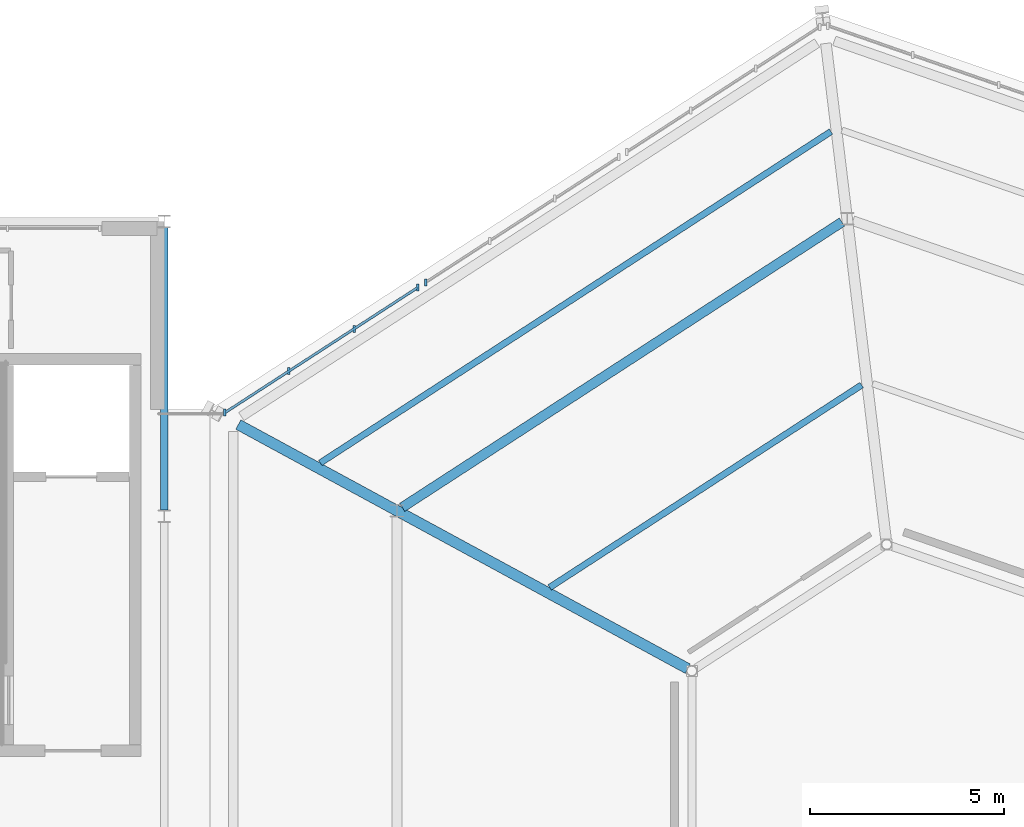
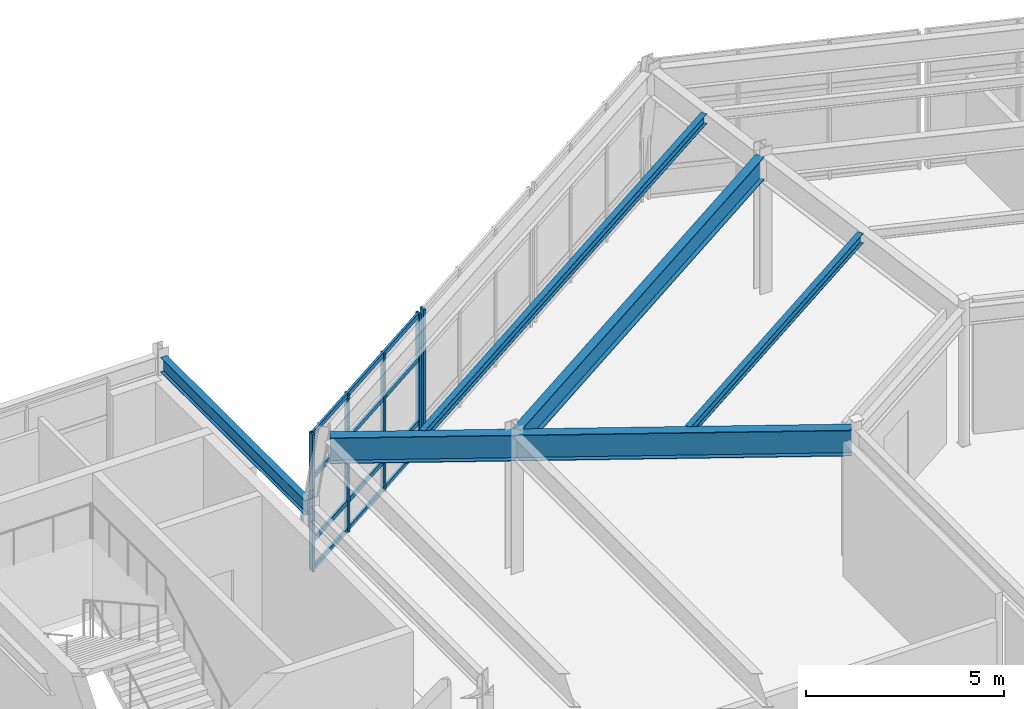
# One storey, part 29 of 69: 9 members, 5 beams, 2 elements without a shape of their own.
"""IFC4 building model written with IfcOpenShell, lengths in metres."""

from ifc_helpers import new_model, si_unit, direction, frame, origin, origin_2d, place, context, subcontext, project, spatial, rectangle, i_section, extrude, material, material_profile, profile_set, type_object, element, aggregate, save


model = new_model("IFC4")

# Units and contexts
model_context = context("Model", 3, precision=1e-05, world=origin(), true_north=direction((0.0, 1.0)))
body_context = subcontext(model_context, "Body", "Model", "MODEL_VIEW")
ifc_project = project(units=[si_unit("LENGTHUNIT", "METRE"), si_unit("AREAUNIT", "SQUARE_METRE"), si_unit("VOLUMEUNIT", "CUBIC_METRE"), si_unit("PLANEANGLEUNIT", "RADIAN"), si_unit("MASSUNIT", "GRAM", prefix="KILO")], contexts=[model_context])

# Site, building, storey
site_placement = place(None, origin())
site = spatial("IfcSite", under=ifc_project, at=site_placement, CompositionType="ELEMENT")
building_placement = place(site_placement, origin())
building = spatial("IfcBuilding", under=site, at=building_placement, Name="Sarnbrook Museum", CompositionType="ELEMENT")
storey_placement = place(building_placement, frame((0.0, 0.0, 14.60009765625)))
storey = spatial("IfcBuildingStorey", under=building, at=storey_placement, Name="L03", CompositionType="ELEMENT", Elevation=14.60009765625)

# Beams
ifc_material_1 = material(Name="Structural Steel Grade 300PLUS (AS/NZS 3679.1, fy = 280 MPa for 17 < t <= 40 mm, 300 MPa for t <= 17 mm)", Category="steel")
ifc_material_profile_1 = material_profile(ifc_material_1, i_section(OverallWidth=0.18994140625, OverallDepth=0.45703125, WebThickness=0.009033203125, FlangeThickness=0.014404296875, FilletRadius=0.011474609375, at=origin_2d()), Name="460UB74.6")
ifc_profile_set_1 = profile_set([ifc_material_profile_1], Name="Structural Steel Grade 300PLUS (AS/NZS 3679.1, fy = 280 MPa for 17 < t <= 40 mm, 300 MPa for t <= 17 mm)")
beam_type_1 = type_object("IfcBeamType", Name="BM-UB460", PredefinedType="BEAM", material=ifc_profile_set_1)
beam_1_placement = place(storey_placement, frame((119.199951171875, 100.95751953125, 4.021484375), z_axis=(0.0, 1.0, 0.0), x_axis=(-1.0, 0.0, 0.0)))
element("IfcBeam", 1, at=beam_1_placement, inside=storey, type_object=beam_type_1, Name="Girder 13:M-N L03", PredefinedType="BEAM", context=body_context, shape_type="SweptSolid", body=[
    extrude(i_section(OverallWidth=0.18994140625, OverallDepth=0.45703125, WebThickness=0.009033203125, FlangeThickness=0.014404296875, FilletRadius=0.011474609375, at=origin_2d()), origin(), (0.0, 0.0, 1.0), 7.284912109375),
])
ifc_material_2 = material(Name="Structural Steel Grade 350L0 (AS/NZS 3678, fy = 340 MPa for 20 < t <= 40 mm)", Category="steel")
ifc_material_profile_2 = material_profile(ifc_material_2, i_section(OverallWidth=0.25, OverallDepth=0.699951171875, WebThickness=0.010009765625, FlangeThickness=0.01611328125, at=origin_2d()), Name="700WB130")
ifc_profile_set_2 = profile_set([ifc_material_profile_2], Name="Structural Steel Grade 350L0 (AS/NZS 3678, fy = 340 MPa for 20 < t <= 40 mm)")
beam_type_2 = type_object("IfcBeamType", Name="BM-WB700", PredefinedType="BEAM", material=ifc_profile_set_2)
beam_2_placement = place(storey_placement, frame((136.669921875, 108.38232421875, 3.889892578125), z_axis=(-0.838898634594, -0.544287682091, 0.0), x_axis=(0.544287682091, -0.838898634594, 0.0)))
element("IfcBeam", 2, at=beam_2_placement, inside=storey, type_object=beam_type_2, Name="Crystal Hall R1 Ring Girder 6 L03", PredefinedType="BEAM", context=body_context, shape_type="SweptSolid", body=[
    extrude(i_section(OverallWidth=0.25, OverallDepth=0.699951171875, WebThickness=0.010009765625, FlangeThickness=0.01611328125, at=origin_2d()), origin(), (0.0, 0.0, 1.0), 13.5126953125),
])
ifc_material_profile_3 = material_profile(ifc_material_2, i_section(OverallWidth=0.27490234375, OverallDepth=0.800048828125, WebThickness=0.010009765625, FlangeThickness=0.01611328125, at=origin_2d()), Name="800WB146")
ifc_profile_set_3 = profile_set([ifc_material_profile_3], Name="Structural Steel Grade 350L0 (AS/NZS 3678, fy = 340 MPa for 20 < t <= 40 mm)")
beam_type_3 = type_object("IfcBeamType", Name="CR-CANT", PredefinedType="BEAM", material=ifc_profile_set_3)
beam_3_placement = place(storey_placement, frame((132.694580078125, 96.869384765625, 3.83984375), z_axis=(-0.878719409363, 0.477338663433, 0.0), x_axis=(-0.477338663433, -0.878719409363, 0.0)))
element("IfcBeam", 3, at=beam_3_placement, inside=storey, type_object=beam_type_3, Name="Crystal Hall Radial Cantilever Girder 7 L03", PredefinedType="BEAM", context=body_context, shape_type="SweptSolid", body=[
    extrude(i_section(OverallWidth=0.27490234375, OverallDepth=0.800048828125, WebThickness=0.010009765625, FlangeThickness=0.01611328125, at=origin_2d()), origin(), (0.0, 0.0, 1.0), 13.1845703125),
])

# Curtain wall, member
ifc_material_3 = material(Name="Thermally Broken Anodised Aluminium 6063-T6", Category="aluminium")
curtain_wall_type = type_object("IfcCurtainWallType", Name="CurtainWall_CrystalFacet", PredefinedType="NOTDEFINED", material=ifc_material_3)
curtain_wall_1_placement = place(storey_placement, origin())
curtain_wall_1 = element("IfcCurtainWall", 4, at=curtain_wall_1_placement, inside=storey, type_object=curtain_wall_type, Name="Crystal Hall Facet Curtain Wall L03-F6.2", PredefinedType="NOTDEFINED")
ifc_material_profile_4 = material_profile(ifc_material_3, rectangle(XDim=0.06494140625, YDim=0.179931640625, at=origin_2d()), Name="ALU MULLION 65x180")
ifc_profile_set_4 = profile_set([ifc_material_profile_4], Name="Thermally Broken Anodised Aluminium 6063-T6")
member_type_1 = type_object("IfcMemberType", Name="CW_Mullion_180x75", PredefinedType="MULLION", material=ifc_profile_set_4)
member_1_placement = place(storey_placement, frame((125.942138671875, 106.8291015625, 0.0), z_axis=(0.0, 0.0, 1.0), x_axis=(1.0, 0.0, 0.0)))
member_1 = element("IfcMember", 5, at=member_1_placement, type_object=member_type_1, Name="Crystal Hall Facet Curtain Wall L03-F6.2 Mullion 4", PredefinedType="MULLION", context=body_context, shape_type="SweptSolid", body=[
    extrude(rectangle(XDim=0.06494140625, YDim=0.179931640625, at=origin_2d()), origin(), (0.0, 0.0, 1.0), 4.239990234375),
])
aggregate(curtain_wall_1, [member_1])

# Curtain wall, members
curtain_wall_2_placement = place(storey_placement, origin())
curtain_wall_2 = element("IfcCurtainWall", 6, at=curtain_wall_2_placement, inside=storey, type_object=curtain_wall_type, Name="Crystal Hall Facet Curtain Wall L03-F6.3", PredefinedType="NOTDEFINED")
member_2_placement = place(storey_placement, frame((125.74072265625, 106.698486328125, 0.0), z_axis=(0.0, 0.0, 1.0), x_axis=(1.0, 0.0, 0.0)))
member_2 = element("IfcMember", 7, at=member_2_placement, type_object=member_type_1, Name="Crystal Hall Facet Curtain Wall L03-F6.3 Mullion 1", PredefinedType="MULLION", context=body_context, shape_type="SweptSolid", body=[
    extrude(rectangle(XDim=0.06494140625, YDim=0.179931640625, at=origin_2d()), origin(), (0.0, 0.0, 1.0), 4.239990234375),
])
member_3_placement = place(storey_placement, frame((124.09326171875, 105.629638671875, 0.0), z_axis=(0.0, 0.0, 1.0), x_axis=(1.0, 0.0, 0.0)))
member_3 = element("IfcMember", 8, at=member_3_placement, type_object=member_type_1, Name="Crystal Hall Facet Curtain Wall L03-F6.3 Mullion 2", PredefinedType="MULLION", context=body_context, shape_type="SweptSolid", body=[
    extrude(rectangle(XDim=0.06494140625, YDim=0.179931640625, at=origin_2d()), origin(), (0.0, 0.0, 1.0), 4.239990234375),
])
member_4_placement = place(storey_placement, frame((122.412109375, 104.538818359375, 0.0), z_axis=(0.0, 0.0, 1.0), x_axis=(1.0, 0.0, 0.0)))
member_4 = element("IfcMember", 9, at=member_4_placement, type_object=member_type_1, Name="Crystal Hall Facet Curtain Wall L03-F6.3 Mullion 3", PredefinedType="MULLION", context=body_context, shape_type="SweptSolid", body=[
    extrude(rectangle(XDim=0.06494140625, YDim=0.179931640625, at=origin_2d()), origin(), (0.0, 0.0, 1.0), 4.239990234375),
])
member_5_placement = place(storey_placement, frame((120.7646484375, 103.469970703125, 0.0), z_axis=(0.0, 0.0, 1.0), x_axis=(1.0, 0.0, 0.0)))
member_5 = element("IfcMember", 10, at=member_5_placement, type_object=member_type_1, Name="Crystal Hall Facet Curtain Wall L03-F6.3 Mullion 4", PredefinedType="MULLION", context=body_context, shape_type="SweptSolid", body=[
    extrude(rectangle(XDim=0.06494140625, YDim=0.179931640625, at=origin_2d()), origin(), (0.0, 0.0, 1.0), 4.239990234375),
])
ifc_material_profile_5 = material_profile(ifc_material_3, rectangle(XDim=0.06494140625, YDim=0.139892578125, at=origin_2d()), Name="ALU TRANSOM 65x140")
ifc_profile_set_5 = profile_set([ifc_material_profile_5], Name="Thermally Broken Anodised Aluminium 6063-T6")
member_type_2 = type_object("IfcMemberType", Name="CW_Transom_150x65", PredefinedType="USERDEFINED", material=ifc_profile_set_5)
member_6_placement = place(storey_placement, frame((125.732421875, 106.693115234375, 0.039794921875), z_axis=(-0.838904716793, -0.544278307617, 0.0), x_axis=(0.544278307617, -0.838904716793, 0.0)))
member_6 = element("IfcMember", 11, at=member_6_placement, type_object=member_type_2, Name="Crystal Hall Facet Curtain Wall L03-F6.3 Transom 1", ObjectType="TRANSOM", PredefinedType="USERDEFINED", context=body_context, shape_type="SweptSolid", body=[
    extrude(rectangle(XDim=0.06494140625, YDim=0.139892578125, at=origin_2d()), origin(), (0.0, 0.0, 1.0), 5.91162109375),
])
member_7_placement = place(storey_placement, frame((125.732421875, 106.693115234375, 0.89990234375), z_axis=(-0.838904716793, -0.544278307617, 0.0), x_axis=(0.544278307617, -0.838904716793, 0.0)))
member_7 = element("IfcMember", 12, at=member_7_placement, type_object=member_type_2, Name="Crystal Hall Facet Curtain Wall L03-F6.3 Transom 2", ObjectType="TRANSOM", PredefinedType="USERDEFINED", context=body_context, shape_type="SweptSolid", body=[
    extrude(rectangle(XDim=0.06494140625, YDim=0.139892578125, at=origin_2d()), origin(), (0.0, 0.0, 1.0), 5.91162109375),
])
member_8_placement = place(storey_placement, frame((125.732421875, 106.693115234375, 2.849853515625), z_axis=(-0.838904716793, -0.544278307617, 0.0), x_axis=(0.544278307617, -0.838904716793, 0.0)))
member_8 = element("IfcMember", 13, at=member_8_placement, type_object=member_type_2, Name="Crystal Hall Facet Curtain Wall L03-F6.3 Transom 3", ObjectType="TRANSOM", PredefinedType="USERDEFINED", context=body_context, shape_type="SweptSolid", body=[
    extrude(rectangle(XDim=0.06494140625, YDim=0.139892578125, at=origin_2d()), origin(), (0.0, 0.0, 1.0), 5.91162109375),
])
member_9_placement = place(storey_placement, frame((125.732421875, 106.693115234375, 4.199951171875), z_axis=(-0.838904716793, -0.544278307617, 0.0), x_axis=(0.544278307617, -0.838904716793, 0.0)))
member_9 = element("IfcMember", 14, at=member_9_placement, type_object=member_type_2, Name="Crystal Hall Facet Curtain Wall L03-F6.3 Transom 4", ObjectType="TRANSOM", PredefinedType="USERDEFINED", context=body_context, shape_type="SweptSolid", body=[
    extrude(rectangle(XDim=0.06494140625, YDim=0.139892578125, at=origin_2d()), origin(), (0.0, 0.0, 1.0), 5.91162109375),
])
aggregate(curtain_wall_2, [member_2, member_3, member_4, member_5, member_6, member_7, member_8, member_9])

# Beams
ifc_material_profile_6 = material_profile(ifc_material_1, i_section(OverallWidth=0.1650390625, OverallDepth=0.303955078125, WebThickness=0.006103515625, FlangeThickness=0.01025390625, FilletRadius=0.011474609375, at=origin_2d()), Name="310UB40.4")
ifc_profile_set_6 = profile_set([ifc_material_profile_6], Name="Structural Steel Grade 300PLUS (AS/NZS 3679.1, fy = 280 MPa for 17 < t <= 40 mm, 300 MPa for t <= 17 mm)")
beam_type_4 = type_object("IfcBeamType", Name="JS-UB310", PredefinedType="JOIST", material=ifc_profile_set_6)
beam_4_placement = place(storey_placement, frame((136.386962890625, 110.715576171875, 4.087890625), z_axis=(-0.838898312684, -0.544288178244, 0.0), x_axis=(0.544288178244, -0.838898312684, 0.0)))
element("IfcBeam", 15, at=beam_4_placement, inside=storey, type_object=beam_type_4, Name="Crystal Hall Tangential Joist MO-6 L03", PredefinedType="JOIST", context=body_context, shape_type="SweptSolid", body=[
    extrude(i_section(OverallWidth=0.1650390625, OverallDepth=0.303955078125, WebThickness=0.006103515625, FlangeThickness=0.01025390625, FilletRadius=0.011474609375, at=origin_2d()), origin(), (0.0, 0.0, 1.0), 15.692138671875),
])
beam_5_placement = place(storey_placement, frame((137.178955078125, 104.18310546875, 4.087890625), z_axis=(-0.838887141633, -0.54430539553, 0.0), x_axis=(0.54430539553, -0.838887141633, 0.0)))
element("IfcBeam", 16, at=beam_5_placement, inside=storey, type_object=beam_type_4, Name="Crystal Hall Tangential Joist MI-6 L03", PredefinedType="JOIST", context=body_context, shape_type="SweptSolid", body=[
    extrude(i_section(OverallWidth=0.1650390625, OverallDepth=0.303955078125, WebThickness=0.006103515625, FlangeThickness=0.01025390625, FilletRadius=0.011474609375, at=origin_2d()), origin(), (0.0, 0.0, 1.0), 9.589599609375),
])

save(model, "model.ifc")
